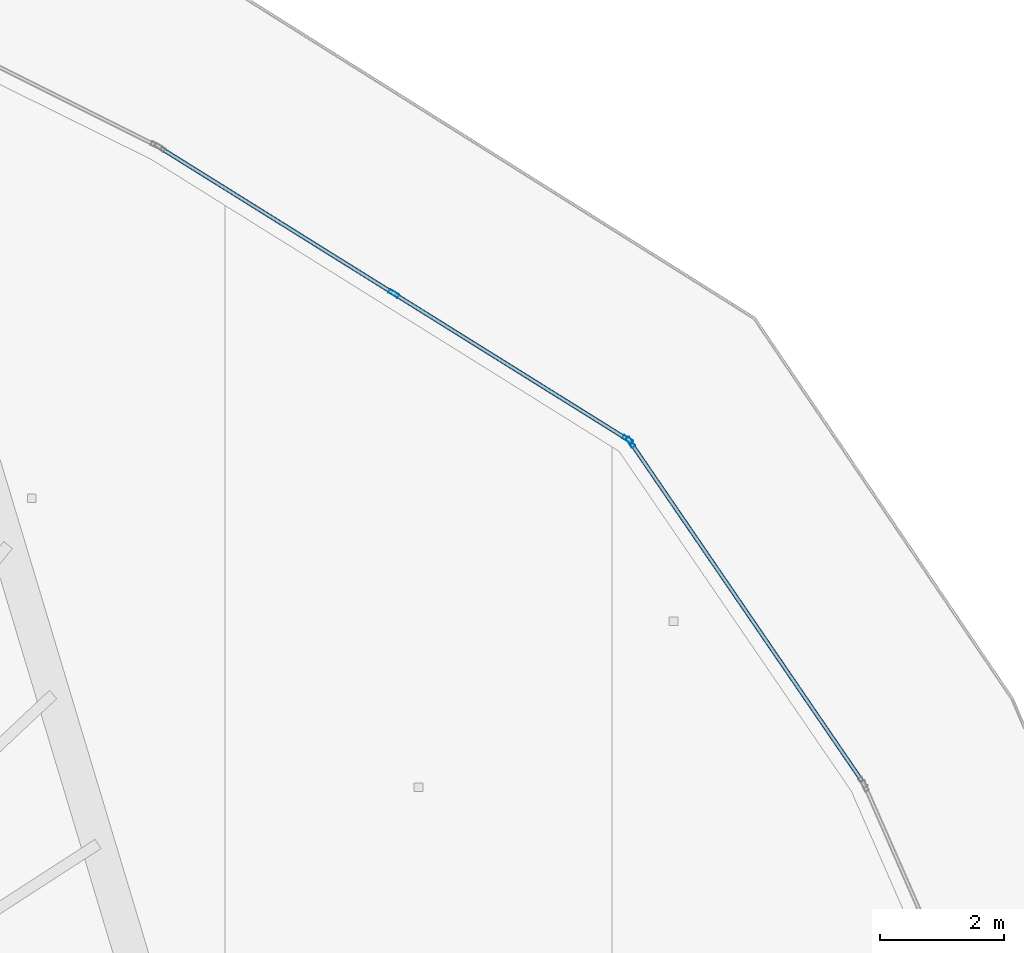
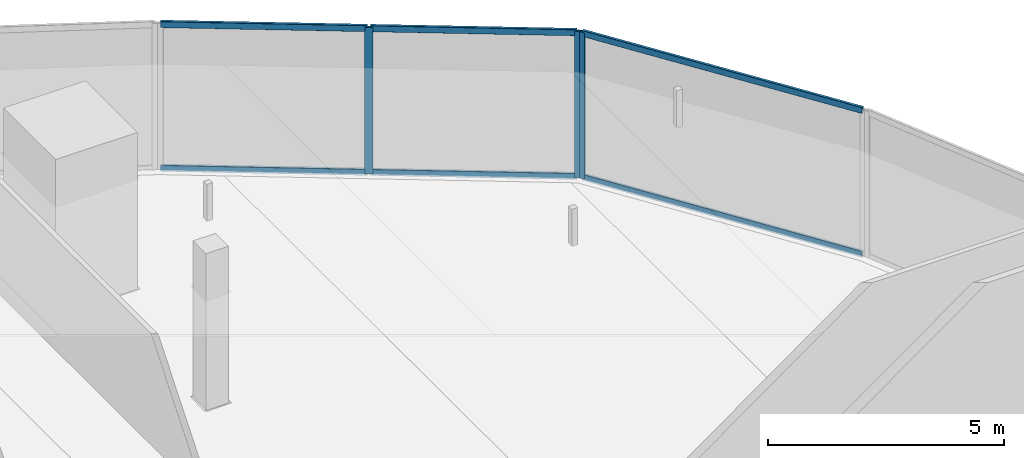
# One storey, part 22 of 38: 9 members, 2 elements without a shape of their own.
"""IFC4 building model written with IfcOpenShell, lengths in metres."""

from ifc_helpers import new_model, si_unit, direction, frame, origin, origin_2d, place, context, subcontext, project, spatial, hollow_rectangle, extrude, material, layer, layer_set, material_profile, profile_set, type_object, element, aggregate, save


model = new_model("IFC4")

# Units and contexts
model_context = context("Model", 3, precision=1e-05, world=origin(), true_north=direction((0.0, 1.0)))
body_context = subcontext(model_context, "Body", "Model", "MODEL_VIEW")
ifc_project = project(units=[si_unit("LENGTHUNIT", "METRE"), si_unit("AREAUNIT", "SQUARE_METRE"), si_unit("VOLUMEUNIT", "CUBIC_METRE"), si_unit("PLANEANGLEUNIT", "RADIAN"), si_unit("MASSUNIT", "GRAM", prefix="KILO")], contexts=[model_context])

# Site, building, storey
site_placement = place(None, origin())
site = spatial("IfcSite", under=ifc_project, at=site_placement, CompositionType="ELEMENT")
building_placement = place(site_placement, origin())
building = spatial("IfcBuilding", under=site, at=building_placement, Name="Qorvath Tower", CompositionType="ELEMENT")
storey_placement = place(building_placement, frame((0.0, 0.0, 146.25)))
storey = spatial("IfcBuildingStorey", under=building, at=storey_placement, Name="L33", CompositionType="ELEMENT", Elevation=146.25)

# Curtain wall, member
ifc_material_1 = material(Name="Anodised aluminium and triple low-E glass", Category="aluminium")
ifc_layer = layer(ifc_material_1, 0.179931640625)
ifc_layer_set = layer_set([ifc_layer], Name="CW-SYS-3")
curtain_wall_type = type_object("IfcCurtainWallType", Name="CW-SYS-3", PredefinedType="NOTDEFINED", material=ifc_layer_set)
curtain_wall_1_placement = place(storey_placement, origin())
curtain_wall_1 = element("IfcCurtainWall", 1, at=curtain_wall_1_placement, inside=storey, type_object=curtain_wall_type, Name="Curtain Wall CW-3 CW-T-L33-13.1", PredefinedType="NOTDEFINED")
ifc_material_2 = material(Name="Anodised aluminium 6063-T6", Category="aluminium")
ifc_material_profile_1 = material_profile(ifc_material_2, hollow_rectangle(XDim=0.06494140625, YDim=0.179931640625, WallThickness=0.00341796875, InnerFilletRadius=0.00341796875, OuterFilletRadius=0.007080078125, at=origin_2d()), Name="CWM 180x65")
ifc_profile_set_1 = profile_set([ifc_material_profile_1], Name="Anodised aluminium 6063-T6")
member_type_1 = type_object("IfcMemberType", Name="CWM-180", PredefinedType="MULLION", material=ifc_profile_set_1)
member_1_placement = place(storey_placement, frame((-4.14208984375, 23.013916015625, 0.0), z_axis=(0.0, 0.0, 1.0), x_axis=(-0.825610125251, -0.564241013294, 0.0)))
member_1 = element("IfcMember", 2, at=member_1_placement, type_object=member_type_1, Name="CW-3 mullion 2", PredefinedType="MULLION", context=body_context, shape_type="SweptSolid", body=[
    extrude(hollow_rectangle(XDim=0.06494140625, YDim=0.179931640625, WallThickness=0.00341796875, InnerFilletRadius=0.00341796875, OuterFilletRadius=0.007080078125, at=origin_2d()), origin(), (0.0, 0.0, 1.0), 3.780029296875),
])

# Curtain wall, members
curtain_wall_2_placement = place(storey_placement, origin())
curtain_wall_2 = element("IfcCurtainWall", 3, at=curtain_wall_2_placement, inside=storey, type_object=curtain_wall_type, Name="Curtain Wall CW-3 CW-T-L33-14.1", PredefinedType="NOTDEFINED")
member_2_placement = place(storey_placement, frame((-4.18798828125, 23.05810546875, 0.0), z_axis=(0.0, 0.0, 1.0), x_axis=(-0.529441480387, -0.848346461563, 0.0)))
member_2 = element("IfcMember", 4, at=member_2_placement, type_object=member_type_1, Name="CW-3 mullion 1", PredefinedType="MULLION", context=body_context, shape_type="SweptSolid", body=[
    extrude(hollow_rectangle(XDim=0.06494140625, YDim=0.179931640625, WallThickness=0.00341796875, InnerFilletRadius=0.00341796875, OuterFilletRadius=0.007080078125, at=origin_2d()), origin(), (0.0, 0.0, 1.0), 3.780029296875),
])
member_3_placement = place(storey_placement, frame((-7.95703125, 25.410400390625, 0.0), z_axis=(0.0, 0.0, 1.0), x_axis=(-0.529441480387, -0.848346461563, 0.0)))
member_3 = element("IfcMember", 5, at=member_3_placement, type_object=member_type_1, Name="CW-3 mullion 2", PredefinedType="MULLION", context=body_context, shape_type="SweptSolid", body=[
    extrude(hollow_rectangle(XDim=0.06494140625, YDim=0.179931640625, WallThickness=0.00341796875, InnerFilletRadius=0.00341796875, OuterFilletRadius=0.007080078125, at=origin_2d()), origin(), (0.0, 0.0, 1.0), 3.780029296875),
])

# Member
ifc_material_3 = material(Name="Anodised aluminium 6063-T6", Category="aluminium")
ifc_material_profile_2 = material_profile(ifc_material_3, hollow_rectangle(XDim=0.06494140625, YDim=0.159912109375, WallThickness=0.00341796875, InnerFilletRadius=0.00341796875, OuterFilletRadius=0.007080078125, at=origin_2d()), Name="CWT 160x65")
ifc_profile_set_2 = profile_set([ifc_material_profile_2], Name="Anodised aluminium 6063-T6")
member_type_2 = type_object("IfcMemberType", Name="CWT-160", PredefinedType="USERDEFINED", material=ifc_profile_set_2)
member_4_placement = place(storey_placement, frame((-0.414794921875, 17.560302734375, 0.032470703125), z_axis=(-0.56426308506, 0.825595040464, 0.0), x_axis=(-0.825595040464, -0.56426308506, 0.0)))
member_4 = element("IfcMember", 6, at=member_4_placement, type_object=member_type_2, Name="CW-3 transom 1.1", ObjectType="TRANSOM", PredefinedType="USERDEFINED", context=body_context, shape_type="SweptSolid", body=[
    extrude(hollow_rectangle(XDim=0.06494140625, YDim=0.159912109375, WallThickness=0.00341796875, InnerFilletRadius=0.00341796875, OuterFilletRadius=0.007080078125, at=origin_2d()), origin(), (0.0, 0.0, 1.0), 6.5732421875),
])

member_5_placement = place(storey_placement, frame((-0.414794921875, 17.560302734375, 3.74755859375), z_axis=(-0.56426308506, 0.825595040464, 0.0), x_axis=(-0.825595040464, -0.56426308506, 0.0)))
member_5 = element("IfcMember", 7, at=member_5_placement, type_object=member_type_2, Name="CW-3 transom 1.2", ObjectType="TRANSOM", PredefinedType="USERDEFINED", context=body_context, shape_type="SweptSolid", body=[
    extrude(hollow_rectangle(XDim=0.06494140625, YDim=0.159912109375, WallThickness=0.00341796875, InnerFilletRadius=0.00341796875, OuterFilletRadius=0.007080078125, at=origin_2d()), origin(), (0.0, 0.0, 1.0), 6.5732421875),
])

aggregate(curtain_wall_1, [member_1, member_4, member_5])

member_6_placement = place(storey_placement, frame((-4.215576171875, 23.0751953125, 0.032470703125), z_axis=(-0.848352128257, 0.529432400294, 0.0), x_axis=(-0.529432400294, -0.848352128257, 0.0)))
member_6 = element("IfcMember", 8, at=member_6_placement, type_object=member_type_2, Name="CW-3 transom 1.1", ObjectType="TRANSOM", PredefinedType="USERDEFINED", context=body_context, shape_type="SweptSolid", body=[
    extrude(hollow_rectangle(XDim=0.06494140625, YDim=0.159912109375, WallThickness=0.00341796875, InnerFilletRadius=0.00341796875, OuterFilletRadius=0.007080078125, at=origin_2d()), origin(), (0.0, 0.0, 1.0), 4.3779296875),
])

member_7_placement = place(storey_placement, frame((-4.215576171875, 23.0751953125, 3.74755859375), z_axis=(-0.848352128257, 0.529432400294, 0.0), x_axis=(-0.529432400294, -0.848352128257, 0.0)))
member_7 = element("IfcMember", 9, at=member_7_placement, type_object=member_type_2, Name="CW-3 transom 1.2", ObjectType="TRANSOM", PredefinedType="USERDEFINED", context=body_context, shape_type="SweptSolid", body=[
    extrude(hollow_rectangle(XDim=0.06494140625, YDim=0.159912109375, WallThickness=0.00341796875, InnerFilletRadius=0.00341796875, OuterFilletRadius=0.007080078125, at=origin_2d()), origin(), (0.0, 0.0, 1.0), 4.3779296875),
])

member_8_placement = place(storey_placement, frame((-7.984619140625, 25.427490234375, 0.032470703125), z_axis=(-0.848352128257, 0.529432400294, 0.0), x_axis=(-0.529432400294, -0.848352128257, 0.0)))
member_8 = element("IfcMember", 10, at=member_8_placement, type_object=member_type_2, Name="CW-3 transom 2.1", ObjectType="TRANSOM", PredefinedType="USERDEFINED", context=body_context, shape_type="SweptSolid", body=[
    extrude(hollow_rectangle(XDim=0.06494140625, YDim=0.159912109375, WallThickness=0.00341796875, InnerFilletRadius=0.00341796875, OuterFilletRadius=0.007080078125, at=origin_2d()), origin(), (0.0, 0.0, 1.0), 4.3779296875),
])

member_9_placement = place(storey_placement, frame((-7.984619140625, 25.427490234375, 3.74755859375), z_axis=(-0.848352128257, 0.529432400294, 0.0), x_axis=(-0.529432400294, -0.848352128257, 0.0)))
member_9 = element("IfcMember", 11, at=member_9_placement, type_object=member_type_2, Name="CW-3 transom 2.2", ObjectType="TRANSOM", PredefinedType="USERDEFINED", context=body_context, shape_type="SweptSolid", body=[
    extrude(hollow_rectangle(XDim=0.06494140625, YDim=0.159912109375, WallThickness=0.00341796875, InnerFilletRadius=0.00341796875, OuterFilletRadius=0.007080078125, at=origin_2d()), origin(), (0.0, 0.0, 1.0), 4.3779296875),
])

aggregate(curtain_wall_2, [member_2, member_3, member_6, member_7, member_8, member_9])

save(model, "model.ifc")
